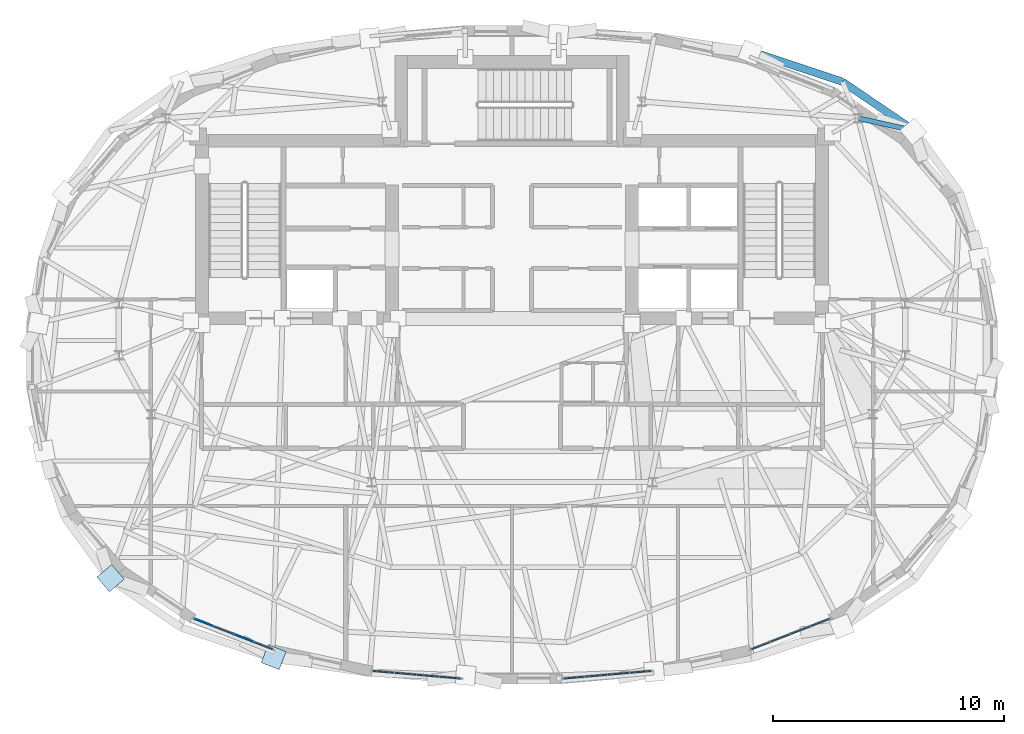
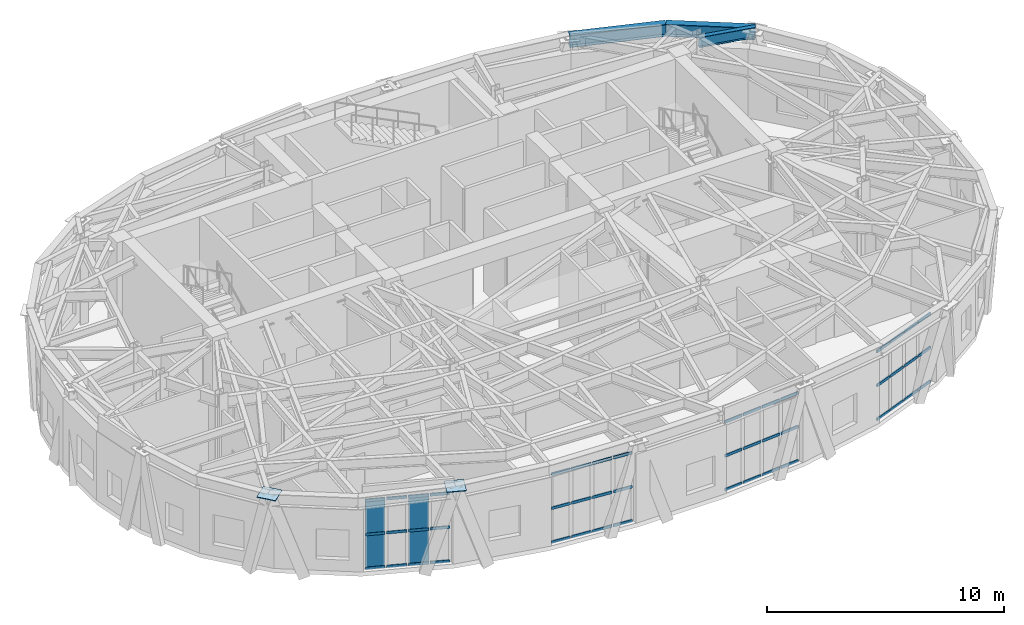
# One storey, part 6 of 15: 48 members, 6 plates, 3 beams, 4 elements without a shape of their own.
"""IFC4 building model written with IfcOpenShell, lengths in metres."""

from ifc_helpers import new_model, si_unit, direction, frame, origin, origin_2d, place, context, subcontext, project, spatial, rectangle, i_section, extrude, material, layer, layer_set, material_profile, profile_set, type_object, element, aggregate, save


model = new_model("IFC4")

# Units and contexts
model_context = context("Model", 3, precision=1e-05, world=origin(), true_north=direction((0.0, 1.0)))
body_context = subcontext(model_context, "Body", "Model", "MODEL_VIEW")
ifc_project = project(units=[si_unit("LENGTHUNIT", "METRE"), si_unit("AREAUNIT", "SQUARE_METRE"), si_unit("VOLUMEUNIT", "CUBIC_METRE"), si_unit("PLANEANGLEUNIT", "RADIAN"), si_unit("MASSUNIT", "GRAM", prefix="KILO")], contexts=[model_context])

# Site, building, storey
site_placement = place(None, origin())
site = spatial("IfcSite", under=ifc_project, at=site_placement, CompositionType="ELEMENT")
building_placement = place(site_placement, origin())
building = spatial("IfcBuilding", under=site, at=building_placement, Name="Keldmark Tower", CompositionType="ELEMENT")
storey_placement = place(building_placement, frame((0.0, 0.0, 260.39990234375)))
storey = spatial("IfcBuildingStorey", under=building, at=storey_placement, Name="L74", CompositionType="ELEMENT", Elevation=260.39990234375)

# Curtain wall, members
ifc_material_1 = material(Name="Unitized Thermally Broken Aluminum and Triple Low-E Glazing", Category="aluminium")
ifc_layer_1 = layer(ifc_material_1, 0.219970703125)
ifc_layer_set_1 = layer_set([ifc_layer_1], Name="Unitized Thermally Broken Aluminum and Triple Low-E Glazing")
curtain_wall_type = type_object("IfcCurtainWallType", Name="Public Observation Lookout Curtain Wall System", PredefinedType="NOTDEFINED", material=ifc_layer_set_1)
curtain_wall_1_placement = place(storey_placement, origin())
curtain_wall_1 = element("IfcCurtainWall", 1, at=curtain_wall_1_placement, inside=storey, type_object=curtain_wall_type, Name="L74 Public Observation Lookout Curtain Wall System CW-L74-21", PredefinedType="NOTDEFINED")
ifc_material_2 = material(Name="Extruded Aluminum Alloy 6063-T6", Category="aluminium")
ifc_material_profile_1 = material_profile(ifc_material_2, rectangle(XDim=0.06005859375, YDim=0.139892578125, at=origin_2d()), Name="CWT60X140")
ifc_profile_set_1 = profile_set([ifc_material_profile_1], Name="Extruded Aluminum Alloy 6063-T6")
member_type = type_object("IfcMemberType", Name="Curtain Wall Horizontal Transom 60x140", PredefinedType="USERDEFINED", material=ifc_profile_set_1)
member_1_placement = place(storey_placement, frame((-10.380615234375, -12.7529296875, 0.030029296875), z_axis=(-0.931639840275, 0.363383004574, 0.0), x_axis=(-0.363383004574, -0.931639840275, 0.0)))
member_1 = element("IfcMember", 2, at=member_1_placement, type_object=member_type, Name="CW transom 1.1", ObjectType="TRANSOM", PredefinedType="USERDEFINED", context=body_context, shape_type="SweptSolid", body=[
    extrude(rectangle(XDim=0.06005859375, YDim=0.139892578125, at=origin_2d()), origin(), (0.0, 0.0, 1.0), 0.842529296875),
])
member_2_placement = place(storey_placement, frame((-10.380615234375, -12.7529296875, 1.773193359375), z_axis=(-0.931639840275, 0.363383004574, 0.0), x_axis=(-0.363383004574, -0.931639840275, 0.0)))
member_2 = element("IfcMember", 3, at=member_2_placement, type_object=member_type, Name="CW transom 1.2", ObjectType="TRANSOM", PredefinedType="USERDEFINED", context=body_context, shape_type="SweptSolid", body=[
    extrude(rectangle(XDim=0.06005859375, YDim=0.139892578125, at=origin_2d()), origin(), (0.0, 0.0, 1.0), 0.842529296875),
])
member_3_placement = place(storey_placement, frame((-10.380615234375, -12.7529296875, 3.51611328125), z_axis=(-0.931639840275, 0.363383004574, 0.0), x_axis=(-0.363383004574, -0.931639840275, 0.0)))
member_3 = element("IfcMember", 4, at=member_3_placement, type_object=member_type, Name="CW transom 1.3", ObjectType="TRANSOM", PredefinedType="USERDEFINED", context=body_context, shape_type="SweptSolid", body=[
    extrude(rectangle(XDim=0.06005859375, YDim=0.139892578125, at=origin_2d()), origin(), (0.0, 0.0, 1.0), 0.842529296875),
])
member_4_placement = place(storey_placement, frame((-11.221435546875, -12.425048828125, 0.030029296875), z_axis=(-0.931626140827, 0.363418125205, 0.0), x_axis=(-0.363418125205, -0.931626140827, 0.0)))
member_4 = element("IfcMember", 5, at=member_4_placement, type_object=member_type, Name="CW transom 2.1", ObjectType="TRANSOM", PredefinedType="USERDEFINED", context=body_context, shape_type="SweptSolid", body=[
    extrude(rectangle(XDim=0.06005859375, YDim=0.139892578125, at=origin_2d()), origin(), (0.0, 0.0, 1.0), 0.87255859375),
])
member_5_placement = place(storey_placement, frame((-11.221435546875, -12.425048828125, 1.773193359375), z_axis=(-0.931626140827, 0.363418125205, 0.0), x_axis=(-0.363418125205, -0.931626140827, 0.0)))
member_5 = element("IfcMember", 6, at=member_5_placement, type_object=member_type, Name="CW transom 2.2", ObjectType="TRANSOM", PredefinedType="USERDEFINED", context=body_context, shape_type="SweptSolid", body=[
    extrude(rectangle(XDim=0.06005859375, YDim=0.139892578125, at=origin_2d()), origin(), (0.0, 0.0, 1.0), 0.87255859375),
])
member_6_placement = place(storey_placement, frame((-11.221435546875, -12.425048828125, 3.51611328125), z_axis=(-0.931626140827, 0.363418125205, 0.0), x_axis=(-0.363418125205, -0.931626140827, 0.0)))
member_6 = element("IfcMember", 7, at=member_6_placement, type_object=member_type, Name="CW transom 2.3", ObjectType="TRANSOM", PredefinedType="USERDEFINED", context=body_context, shape_type="SweptSolid", body=[
    extrude(rectangle(XDim=0.06005859375, YDim=0.139892578125, at=origin_2d()), origin(), (0.0, 0.0, 1.0), 0.87255859375),
])
member_7_placement = place(storey_placement, frame((-12.09033203125, -12.086181640625, 0.030029296875), z_axis=(-0.931626140827, 0.363418125205, 0.0), x_axis=(-0.363418125205, -0.931626140827, 0.0)))
member_7 = element("IfcMember", 8, at=member_7_placement, type_object=member_type, Name="CW transom 3.1", ObjectType="TRANSOM", PredefinedType="USERDEFINED", context=body_context, shape_type="SweptSolid", body=[
    extrude(rectangle(XDim=0.06005859375, YDim=0.139892578125, at=origin_2d()), origin(), (0.0, 0.0, 1.0), 0.87255859375),
])
member_8_placement = place(storey_placement, frame((-12.09033203125, -12.086181640625, 1.773193359375), z_axis=(-0.931626140827, 0.363418125205, 0.0), x_axis=(-0.363418125205, -0.931626140827, 0.0)))
member_8 = element("IfcMember", 9, at=member_8_placement, type_object=member_type, Name="CW transom 3.2", ObjectType="TRANSOM", PredefinedType="USERDEFINED", context=body_context, shape_type="SweptSolid", body=[
    extrude(rectangle(XDim=0.06005859375, YDim=0.139892578125, at=origin_2d()), origin(), (0.0, 0.0, 1.0), 0.87255859375),
])
member_9_placement = place(storey_placement, frame((-12.09033203125, -12.086181640625, 3.51611328125), z_axis=(-0.931626140827, 0.363418125205, 0.0), x_axis=(-0.363418125205, -0.931626140827, 0.0)))
member_9 = element("IfcMember", 10, at=member_9_placement, type_object=member_type, Name="CW transom 3.3", ObjectType="TRANSOM", PredefinedType="USERDEFINED", context=body_context, shape_type="SweptSolid", body=[
    extrude(rectangle(XDim=0.06005859375, YDim=0.139892578125, at=origin_2d()), origin(), (0.0, 0.0, 1.0), 0.87255859375),
])
member_10_placement = place(storey_placement, frame((-12.959228515625, -11.747314453125, 0.030029296875), z_axis=(-0.93154171424, 0.363634479431, 0.0), x_axis=(-0.363634479431, -0.93154171424, 0.0)))
member_10 = element("IfcMember", 11, at=member_10_placement, type_object=member_type, Name="CW transom 4.1", ObjectType="TRANSOM", PredefinedType="USERDEFINED", context=body_context, shape_type="SweptSolid", body=[
    extrude(rectangle(XDim=0.06005859375, YDim=0.139892578125, at=origin_2d()), origin(), (0.0, 0.0, 1.0), 0.842529296875),
])
member_11_placement = place(storey_placement, frame((-12.959228515625, -11.747314453125, 1.773193359375), z_axis=(-0.93154171424, 0.363634479431, 0.0), x_axis=(-0.363634479431, -0.93154171424, 0.0)))
member_11 = element("IfcMember", 12, at=member_11_placement, type_object=member_type, Name="CW transom 4.2", ObjectType="TRANSOM", PredefinedType="USERDEFINED", context=body_context, shape_type="SweptSolid", body=[
    extrude(rectangle(XDim=0.06005859375, YDim=0.139892578125, at=origin_2d()), origin(), (0.0, 0.0, 1.0), 0.842529296875),
])
member_12_placement = place(storey_placement, frame((-12.959228515625, -11.747314453125, 3.51611328125), z_axis=(-0.93154171424, 0.363634479431, 0.0), x_axis=(-0.363634479431, -0.93154171424, 0.0)))
member_12 = element("IfcMember", 13, at=member_12_placement, type_object=member_type, Name="CW transom 4.3", ObjectType="TRANSOM", PredefinedType="USERDEFINED", context=body_context, shape_type="SweptSolid", body=[
    extrude(rectangle(XDim=0.06005859375, YDim=0.139892578125, at=origin_2d()), origin(), (0.0, 0.0, 1.0), 0.842529296875),
])

curtain_wall_2_placement = place(storey_placement, origin())
curtain_wall_2 = element("IfcCurtainWall", 14, at=curtain_wall_2_placement, inside=storey, type_object=curtain_wall_type, Name="L74 Public Observation Lookout Curtain Wall System CW-L74-23", PredefinedType="NOTDEFINED")
member_13_placement = place(storey_placement, frame((-2.251953125, -14.022705078125, 0.030029296875), z_axis=(-0.996253059609, 0.086486075292, 0.0), x_axis=(-0.086486075292, -0.996253059609, 0.0)))
member_13 = element("IfcMember", 15, at=member_13_placement, type_object=member_type, Name="CW transom 1.1", ObjectType="TRANSOM", PredefinedType="USERDEFINED", context=body_context, shape_type="SweptSolid", body=[
    extrude(rectangle(XDim=0.06005859375, YDim=0.139892578125, at=origin_2d()), origin(), (0.0, 0.0, 1.0), 0.880859375),
])
member_14_placement = place(storey_placement, frame((-2.251953125, -14.022705078125, 1.773193359375), z_axis=(-0.996253059609, 0.086486075292, 0.0), x_axis=(-0.086486075292, -0.996253059609, 0.0)))
member_14 = element("IfcMember", 16, at=member_14_placement, type_object=member_type, Name="CW transom 1.2", ObjectType="TRANSOM", PredefinedType="USERDEFINED", context=body_context, shape_type="SweptSolid", body=[
    extrude(rectangle(XDim=0.06005859375, YDim=0.139892578125, at=origin_2d()), origin(), (0.0, 0.0, 1.0), 0.880859375),
])
member_15_placement = place(storey_placement, frame((-2.251953125, -14.022705078125, 3.51611328125), z_axis=(-0.996253059609, 0.086486075292, 0.0), x_axis=(-0.086486075292, -0.996253059609, 0.0)))
member_15 = element("IfcMember", 17, at=member_15_placement, type_object=member_type, Name="CW transom 1.3", ObjectType="TRANSOM", PredefinedType="USERDEFINED", context=body_context, shape_type="SweptSolid", body=[
    extrude(rectangle(XDim=0.06005859375, YDim=0.139892578125, at=origin_2d()), origin(), (0.0, 0.0, 1.0), 0.880859375),
])
member_16_placement = place(storey_placement, frame((-3.189208984375, -13.94140625, 0.030029296875), z_axis=(-0.996245615112, 0.086571787377, 0.0), x_axis=(-0.086571787377, -0.996245615112, 0.0)))
member_16 = element("IfcMember", 18, at=member_16_placement, type_object=member_type, Name="CW transom 2.1", ObjectType="TRANSOM", PredefinedType="USERDEFINED", context=body_context, shape_type="SweptSolid", body=[
    extrude(rectangle(XDim=0.06005859375, YDim=0.139892578125, at=origin_2d()), origin(), (0.0, 0.0, 1.0), 0.910888671875),
])
member_17_placement = place(storey_placement, frame((-3.189208984375, -13.94140625, 1.773193359375), z_axis=(-0.996245615112, 0.086571787377, 0.0), x_axis=(-0.086571787377, -0.996245615112, 0.0)))
member_17 = element("IfcMember", 19, at=member_17_placement, type_object=member_type, Name="CW transom 2.2", ObjectType="TRANSOM", PredefinedType="USERDEFINED", context=body_context, shape_type="SweptSolid", body=[
    extrude(rectangle(XDim=0.06005859375, YDim=0.139892578125, at=origin_2d()), origin(), (0.0, 0.0, 1.0), 0.910888671875),
])
member_18_placement = place(storey_placement, frame((-3.189208984375, -13.94140625, 3.51611328125), z_axis=(-0.996245615112, 0.086571787377, 0.0), x_axis=(-0.086571787377, -0.996245615112, 0.0)))
member_18 = element("IfcMember", 20, at=member_18_placement, type_object=member_type, Name="CW transom 2.3", ObjectType="TRANSOM", PredefinedType="USERDEFINED", context=body_context, shape_type="SweptSolid", body=[
    extrude(rectangle(XDim=0.06005859375, YDim=0.139892578125, at=origin_2d()), origin(), (0.0, 0.0, 1.0), 0.910888671875),
])
member_19_placement = place(storey_placement, frame((-4.156494140625, -13.857421875, 0.030029296875), z_axis=(-0.996243605554, 0.08659490974, 0.0), x_axis=(-0.08659490974, -0.996243605554, 0.0)))
member_19 = element("IfcMember", 21, at=member_19_placement, type_object=member_type, Name="CW transom 3.1", ObjectType="TRANSOM", PredefinedType="USERDEFINED", context=body_context, shape_type="SweptSolid", body=[
    extrude(rectangle(XDim=0.06005859375, YDim=0.139892578125, at=origin_2d()), origin(), (0.0, 0.0, 1.0), 0.91064453125),
])
member_20_placement = place(storey_placement, frame((-4.156494140625, -13.857421875, 1.773193359375), z_axis=(-0.996243605554, 0.08659490974, 0.0), x_axis=(-0.08659490974, -0.996243605554, 0.0)))
member_20 = element("IfcMember", 22, at=member_20_placement, type_object=member_type, Name="CW transom 3.2", ObjectType="TRANSOM", PredefinedType="USERDEFINED", context=body_context, shape_type="SweptSolid", body=[
    extrude(rectangle(XDim=0.06005859375, YDim=0.139892578125, at=origin_2d()), origin(), (0.0, 0.0, 1.0), 0.91064453125),
])
member_21_placement = place(storey_placement, frame((-4.156494140625, -13.857421875, 3.51611328125), z_axis=(-0.996243605554, 0.08659490974, 0.0), x_axis=(-0.08659490974, -0.996243605554, 0.0)))
member_21 = element("IfcMember", 23, at=member_21_placement, type_object=member_type, Name="CW transom 3.3", ObjectType="TRANSOM", PredefinedType="USERDEFINED", context=body_context, shape_type="SweptSolid", body=[
    extrude(rectangle(XDim=0.06005859375, YDim=0.139892578125, at=origin_2d()), origin(), (0.0, 0.0, 1.0), 0.91064453125),
])
member_22_placement = place(storey_placement, frame((-5.12353515625, -13.7734375, 0.030029296875), z_axis=(-0.996255132155, 0.086462197839, 0.0), x_axis=(-0.086462197839, -0.996255132155, 0.0)))
member_22 = element("IfcMember", 24, at=member_22_placement, type_object=member_type, Name="CW transom 4.1", ObjectType="TRANSOM", PredefinedType="USERDEFINED", context=body_context, shape_type="SweptSolid", body=[
    extrude(rectangle(XDim=0.06005859375, YDim=0.139892578125, at=origin_2d()), origin(), (0.0, 0.0, 1.0), 0.881103515625),
])
member_23_placement = place(storey_placement, frame((-5.12353515625, -13.7734375, 1.773193359375), z_axis=(-0.996255132155, 0.086462197839, 0.0), x_axis=(-0.086462197839, -0.996255132155, 0.0)))
member_23 = element("IfcMember", 25, at=member_23_placement, type_object=member_type, Name="CW transom 4.2", ObjectType="TRANSOM", PredefinedType="USERDEFINED", context=body_context, shape_type="SweptSolid", body=[
    extrude(rectangle(XDim=0.06005859375, YDim=0.139892578125, at=origin_2d()), origin(), (0.0, 0.0, 1.0), 0.881103515625),
])
member_24_placement = place(storey_placement, frame((-5.12353515625, -13.7734375, 3.51611328125), z_axis=(-0.996255132155, 0.086462197839, 0.0), x_axis=(-0.086462197839, -0.996255132155, 0.0)))
member_24 = element("IfcMember", 26, at=member_24_placement, type_object=member_type, Name="CW transom 4.3", ObjectType="TRANSOM", PredefinedType="USERDEFINED", context=body_context, shape_type="SweptSolid", body=[
    extrude(rectangle(XDim=0.06005859375, YDim=0.139892578125, at=origin_2d()), origin(), (0.0, 0.0, 1.0), 0.881103515625),
])
aggregate(curtain_wall_2, [member_13, member_14, member_15, member_16, member_17, member_18, member_19, member_20, member_21, member_22, member_23, member_24])

curtain_wall_3_placement = place(storey_placement, origin())
curtain_wall_3 = element("IfcCurtainWall", 27, at=curtain_wall_3_placement, inside=storey, type_object=curtain_wall_type, Name="L74 Public Observation Lookout Curtain Wall System CW-L74-25", PredefinedType="NOTDEFINED")
member_25_placement = place(storey_placement, frame((6.001220703125, -13.697265625, 0.030029296875), z_axis=(-0.996255132155, -0.086462197839, 0.0), x_axis=(0.086462197839, -0.996255132155, 0.0)))
member_25 = element("IfcMember", 28, at=member_25_placement, type_object=member_type, Name="CW transom 1.1", ObjectType="TRANSOM", PredefinedType="USERDEFINED", context=body_context, shape_type="SweptSolid", body=[
    extrude(rectangle(XDim=0.06005859375, YDim=0.139892578125, at=origin_2d()), origin(), (0.0, 0.0, 1.0), 0.881103515625),
])
member_26_placement = place(storey_placement, frame((6.001220703125, -13.697265625, 1.773193359375), z_axis=(-0.996255132155, -0.086462197839, 0.0), x_axis=(0.086462197839, -0.996255132155, 0.0)))
member_26 = element("IfcMember", 29, at=member_26_placement, type_object=member_type, Name="CW transom 1.2", ObjectType="TRANSOM", PredefinedType="USERDEFINED", context=body_context, shape_type="SweptSolid", body=[
    extrude(rectangle(XDim=0.06005859375, YDim=0.139892578125, at=origin_2d()), origin(), (0.0, 0.0, 1.0), 0.881103515625),
])
member_27_placement = place(storey_placement, frame((6.001220703125, -13.697265625, 3.51611328125), z_axis=(-0.996255132155, -0.086462197839, 0.0), x_axis=(0.086462197839, -0.996255132155, 0.0)))
member_27 = element("IfcMember", 30, at=member_27_placement, type_object=member_type, Name="CW transom 1.3", ObjectType="TRANSOM", PredefinedType="USERDEFINED", context=body_context, shape_type="SweptSolid", body=[
    extrude(rectangle(XDim=0.06005859375, YDim=0.139892578125, at=origin_2d()), origin(), (0.0, 0.0, 1.0), 0.881103515625),
])
member_28_placement = place(storey_placement, frame((5.063720703125, -13.778564453125, 0.030029296875), z_axis=(-0.996243605554, -0.08659490974, 0.0), x_axis=(0.08659490974, -0.996243605554, 0.0)))
member_28 = element("IfcMember", 31, at=member_28_placement, type_object=member_type, Name="CW transom 2.1", ObjectType="TRANSOM", PredefinedType="USERDEFINED", context=body_context, shape_type="SweptSolid", body=[
    extrude(rectangle(XDim=0.06005859375, YDim=0.139892578125, at=origin_2d()), origin(), (0.0, 0.0, 1.0), 0.91064453125),
])
member_29_placement = place(storey_placement, frame((5.063720703125, -13.778564453125, 1.773193359375), z_axis=(-0.996243605554, -0.08659490974, 0.0), x_axis=(0.08659490974, -0.996243605554, 0.0)))
member_29 = element("IfcMember", 32, at=member_29_placement, type_object=member_type, Name="CW transom 2.2", ObjectType="TRANSOM", PredefinedType="USERDEFINED", context=body_context, shape_type="SweptSolid", body=[
    extrude(rectangle(XDim=0.06005859375, YDim=0.139892578125, at=origin_2d()), origin(), (0.0, 0.0, 1.0), 0.91064453125),
])
member_30_placement = place(storey_placement, frame((5.063720703125, -13.778564453125, 3.51611328125), z_axis=(-0.996243605554, -0.08659490974, 0.0), x_axis=(0.08659490974, -0.996243605554, 0.0)))
member_30 = element("IfcMember", 33, at=member_30_placement, type_object=member_type, Name="CW transom 2.3", ObjectType="TRANSOM", PredefinedType="USERDEFINED", context=body_context, shape_type="SweptSolid", body=[
    extrude(rectangle(XDim=0.06005859375, YDim=0.139892578125, at=origin_2d()), origin(), (0.0, 0.0, 1.0), 0.91064453125),
])
member_31_placement = place(storey_placement, frame((4.0966796875, -13.862548828125, 0.030029296875), z_axis=(-0.996245615112, -0.086571787377, 0.0), x_axis=(0.086571787377, -0.996245615112, 0.0)))
member_31 = element("IfcMember", 34, at=member_31_placement, type_object=member_type, Name="CW transom 3.1", ObjectType="TRANSOM", PredefinedType="USERDEFINED", context=body_context, shape_type="SweptSolid", body=[
    extrude(rectangle(XDim=0.06005859375, YDim=0.139892578125, at=origin_2d()), origin(), (0.0, 0.0, 1.0), 0.910888671875),
])
member_32_placement = place(storey_placement, frame((4.0966796875, -13.862548828125, 1.773193359375), z_axis=(-0.996245615112, -0.086571787377, 0.0), x_axis=(0.086571787377, -0.996245615112, 0.0)))
member_32 = element("IfcMember", 35, at=member_32_placement, type_object=member_type, Name="CW transom 3.2", ObjectType="TRANSOM", PredefinedType="USERDEFINED", context=body_context, shape_type="SweptSolid", body=[
    extrude(rectangle(XDim=0.06005859375, YDim=0.139892578125, at=origin_2d()), origin(), (0.0, 0.0, 1.0), 0.910888671875),
])
member_33_placement = place(storey_placement, frame((4.0966796875, -13.862548828125, 3.51611328125), z_axis=(-0.996245615112, -0.086571787377, 0.0), x_axis=(0.086571787377, -0.996245615112, 0.0)))
member_33 = element("IfcMember", 36, at=member_33_placement, type_object=member_type, Name="CW transom 3.3", ObjectType="TRANSOM", PredefinedType="USERDEFINED", context=body_context, shape_type="SweptSolid", body=[
    extrude(rectangle(XDim=0.06005859375, YDim=0.139892578125, at=origin_2d()), origin(), (0.0, 0.0, 1.0), 0.910888671875),
])
member_34_placement = place(storey_placement, frame((3.12939453125, -13.946533203125, 0.030029296875), z_axis=(-0.996253059609, -0.086486075292, 0.0), x_axis=(0.086486075292, -0.996253059609, 0.0)))
member_34 = element("IfcMember", 37, at=member_34_placement, type_object=member_type, Name="CW transom 4.1", ObjectType="TRANSOM", PredefinedType="USERDEFINED", context=body_context, shape_type="SweptSolid", body=[
    extrude(rectangle(XDim=0.06005859375, YDim=0.139892578125, at=origin_2d()), origin(), (0.0, 0.0, 1.0), 0.880859375),
])
member_35_placement = place(storey_placement, frame((3.12939453125, -13.946533203125, 1.773193359375), z_axis=(-0.996253059609, -0.086486075292, 0.0), x_axis=(0.086486075292, -0.996253059609, 0.0)))
member_35 = element("IfcMember", 38, at=member_35_placement, type_object=member_type, Name="CW transom 4.2", ObjectType="TRANSOM", PredefinedType="USERDEFINED", context=body_context, shape_type="SweptSolid", body=[
    extrude(rectangle(XDim=0.06005859375, YDim=0.139892578125, at=origin_2d()), origin(), (0.0, 0.0, 1.0), 0.880859375),
])
member_36_placement = place(storey_placement, frame((3.12939453125, -13.946533203125, 3.51611328125), z_axis=(-0.996253059609, -0.086486075292, 0.0), x_axis=(0.086486075292, -0.996253059609, 0.0)))
member_36 = element("IfcMember", 39, at=member_36_placement, type_object=member_type, Name="CW transom 4.3", ObjectType="TRANSOM", PredefinedType="USERDEFINED", context=body_context, shape_type="SweptSolid", body=[
    extrude(rectangle(XDim=0.06005859375, YDim=0.139892578125, at=origin_2d()), origin(), (0.0, 0.0, 1.0), 0.880859375),
])
aggregate(curtain_wall_3, [member_25, member_26, member_27, member_28, member_29, member_30, member_31, member_32, member_33, member_34, member_35, member_36])

curtain_wall_4_placement = place(storey_placement, origin())
curtain_wall_4 = element("IfcCurtainWall", 40, at=curtain_wall_4_placement, inside=storey, type_object=curtain_wall_type, Name="L74 Public Observation Lookout Curtain Wall System CW-L74-27", PredefinedType="NOTDEFINED")
member_37_placement = place(storey_placement, frame((13.744140625, -11.44091796875, 0.030029296875), z_axis=(-0.93154171424, -0.363634479431, 0.0), x_axis=(0.363634479431, -0.93154171424, 0.0)))
member_37 = element("IfcMember", 41, at=member_37_placement, type_object=member_type, Name="CW transom 1.1", ObjectType="TRANSOM", PredefinedType="USERDEFINED", context=body_context, shape_type="SweptSolid", body=[
    extrude(rectangle(XDim=0.06005859375, YDim=0.139892578125, at=origin_2d()), origin(), (0.0, 0.0, 1.0), 0.842529296875),
])
member_38_placement = place(storey_placement, frame((13.744140625, -11.44091796875, 1.773193359375), z_axis=(-0.93154171424, -0.363634479431, 0.0), x_axis=(0.363634479431, -0.93154171424, 0.0)))
member_38 = element("IfcMember", 42, at=member_38_placement, type_object=member_type, Name="CW transom 1.2", ObjectType="TRANSOM", PredefinedType="USERDEFINED", context=body_context, shape_type="SweptSolid", body=[
    extrude(rectangle(XDim=0.06005859375, YDim=0.139892578125, at=origin_2d()), origin(), (0.0, 0.0, 1.0), 0.842529296875),
])
member_39_placement = place(storey_placement, frame((13.744140625, -11.44091796875, 3.51611328125), z_axis=(-0.93154171424, -0.363634479431, 0.0), x_axis=(0.363634479431, -0.93154171424, 0.0)))
member_39 = element("IfcMember", 43, at=member_39_placement, type_object=member_type, Name="CW transom 1.3", ObjectType="TRANSOM", PredefinedType="USERDEFINED", context=body_context, shape_type="SweptSolid", body=[
    extrude(rectangle(XDim=0.06005859375, YDim=0.139892578125, at=origin_2d()), origin(), (0.0, 0.0, 1.0), 0.842529296875),
])
member_40_placement = place(storey_placement, frame((12.9033203125, -11.76904296875, 0.030029296875), z_axis=(-0.931626140827, -0.363418125205, 0.0), x_axis=(0.363418125205, -0.931626140827, 0.0)))
member_40 = element("IfcMember", 44, at=member_40_placement, type_object=member_type, Name="CW transom 2.1", ObjectType="TRANSOM", PredefinedType="USERDEFINED", context=body_context, shape_type="SweptSolid", body=[
    extrude(rectangle(XDim=0.06005859375, YDim=0.139892578125, at=origin_2d()), origin(), (0.0, 0.0, 1.0), 0.87255859375),
])
member_41_placement = place(storey_placement, frame((12.9033203125, -11.76904296875, 1.773193359375), z_axis=(-0.931626140827, -0.363418125205, 0.0), x_axis=(0.363418125205, -0.931626140827, 0.0)))
member_41 = element("IfcMember", 45, at=member_41_placement, type_object=member_type, Name="CW transom 2.2", ObjectType="TRANSOM", PredefinedType="USERDEFINED", context=body_context, shape_type="SweptSolid", body=[
    extrude(rectangle(XDim=0.06005859375, YDim=0.139892578125, at=origin_2d()), origin(), (0.0, 0.0, 1.0), 0.87255859375),
])
member_42_placement = place(storey_placement, frame((12.9033203125, -11.76904296875, 3.51611328125), z_axis=(-0.931626140827, -0.363418125205, 0.0), x_axis=(0.363418125205, -0.931626140827, 0.0)))
member_42 = element("IfcMember", 46, at=member_42_placement, type_object=member_type, Name="CW transom 2.3", ObjectType="TRANSOM", PredefinedType="USERDEFINED", context=body_context, shape_type="SweptSolid", body=[
    extrude(rectangle(XDim=0.06005859375, YDim=0.139892578125, at=origin_2d()), origin(), (0.0, 0.0, 1.0), 0.87255859375),
])
member_43_placement = place(storey_placement, frame((12.034423828125, -12.10791015625, 0.030029296875), z_axis=(-0.931626140827, -0.363418125205, 0.0), x_axis=(0.363418125205, -0.931626140827, 0.0)))
member_43 = element("IfcMember", 47, at=member_43_placement, type_object=member_type, Name="CW transom 3.1", ObjectType="TRANSOM", PredefinedType="USERDEFINED", context=body_context, shape_type="SweptSolid", body=[
    extrude(rectangle(XDim=0.06005859375, YDim=0.139892578125, at=origin_2d()), origin(), (0.0, 0.0, 1.0), 0.87255859375),
])
member_44_placement = place(storey_placement, frame((12.034423828125, -12.10791015625, 1.773193359375), z_axis=(-0.931626140827, -0.363418125205, 0.0), x_axis=(0.363418125205, -0.931626140827, 0.0)))
member_44 = element("IfcMember", 48, at=member_44_placement, type_object=member_type, Name="CW transom 3.2", ObjectType="TRANSOM", PredefinedType="USERDEFINED", context=body_context, shape_type="SweptSolid", body=[
    extrude(rectangle(XDim=0.06005859375, YDim=0.139892578125, at=origin_2d()), origin(), (0.0, 0.0, 1.0), 0.87255859375),
])
member_45_placement = place(storey_placement, frame((12.034423828125, -12.10791015625, 3.51611328125), z_axis=(-0.931626140827, -0.363418125205, 0.0), x_axis=(0.363418125205, -0.931626140827, 0.0)))
member_45 = element("IfcMember", 49, at=member_45_placement, type_object=member_type, Name="CW transom 3.3", ObjectType="TRANSOM", PredefinedType="USERDEFINED", context=body_context, shape_type="SweptSolid", body=[
    extrude(rectangle(XDim=0.06005859375, YDim=0.139892578125, at=origin_2d()), origin(), (0.0, 0.0, 1.0), 0.87255859375),
])
member_46_placement = place(storey_placement, frame((11.16552734375, -12.44677734375, 0.030029296875), z_axis=(-0.931639840275, -0.363383004574, 0.0), x_axis=(0.363383004574, -0.931639840275, 0.0)))
member_46 = element("IfcMember", 50, at=member_46_placement, type_object=member_type, Name="CW transom 4.1", ObjectType="TRANSOM", PredefinedType="USERDEFINED", context=body_context, shape_type="SweptSolid", body=[
    extrude(rectangle(XDim=0.06005859375, YDim=0.139892578125, at=origin_2d()), origin(), (0.0, 0.0, 1.0), 0.842529296875),
])
member_47_placement = place(storey_placement, frame((11.16552734375, -12.44677734375, 1.773193359375), z_axis=(-0.931639840275, -0.363383004574, 0.0), x_axis=(0.363383004574, -0.931639840275, 0.0)))
member_47 = element("IfcMember", 51, at=member_47_placement, type_object=member_type, Name="CW transom 4.2", ObjectType="TRANSOM", PredefinedType="USERDEFINED", context=body_context, shape_type="SweptSolid", body=[
    extrude(rectangle(XDim=0.06005859375, YDim=0.139892578125, at=origin_2d()), origin(), (0.0, 0.0, 1.0), 0.842529296875),
])
member_48_placement = place(storey_placement, frame((11.16552734375, -12.44677734375, 3.51611328125), z_axis=(-0.931639840275, -0.363383004574, 0.0), x_axis=(0.363383004574, -0.931639840275, 0.0)))
member_48 = element("IfcMember", 52, at=member_48_placement, type_object=member_type, Name="CW transom 4.3", ObjectType="TRANSOM", PredefinedType="USERDEFINED", context=body_context, shape_type="SweptSolid", body=[
    extrude(rectangle(XDim=0.06005859375, YDim=0.139892578125, at=origin_2d()), origin(), (0.0, 0.0, 1.0), 0.842529296875),
])
aggregate(curtain_wall_4, [member_37, member_38, member_39, member_40, member_41, member_42, member_43, member_44, member_45, member_46, member_47, member_48])

# Beams
ifc_material_3 = material(Name="Steel ASTM A992 Grade 50", Category="steel")
ifc_material_profile_2 = material_profile(ifc_material_3, i_section(OverallWidth=0.2099609375, OverallDepth=0.537109375, WebThickness=0.010986328125, FlangeThickness=0.017333984375, at=origin_2d()), Name="W21X68")
ifc_profile_set_2 = profile_set([ifc_material_profile_2], Name="Steel ASTM A992 Grade 50")
beam_type_1 = type_object("IfcBeamType", Name="Radial Tie Girder W21X68", PredefinedType="BEAM", material=ifc_profile_set_2)
beam_1_placement = place(storey_placement, frame((14.995849609375, 10.24365234375, 3.91162109375), z_axis=(0.976301713666, -0.216413871768, 0.0), x_axis=(0.216413871768, 0.976301713666, 0.0)))
element("IfcBeam", 53, at=beam_1_placement, inside=storey, type_object=beam_type_1, Name="L74 Perimeter Column Bracket RT-04", PredefinedType="BEAM", context=body_context, shape_type="SweptSolid", body=[
    extrude(i_section(OverallWidth=0.2099609375, OverallDepth=0.537109375, WebThickness=0.010986328125, FlangeThickness=0.017333984375, at=origin_2d()), origin(), (0.0, 0.0, 1.0), 2.502197265625),
])
ifc_material_4 = material(Name="Steel ASTM A992 Grade 50", Category="steel")
ifc_material_profile_3 = material_profile(ifc_material_4, i_section(OverallWidth=0.326904296875, OverallDepth=0.6220703125, WebThickness=0.015380859375, FlangeThickness=0.0244140625, at=origin_2d()), Name="W24X131")
ifc_profile_set_3 = profile_set([ifc_material_profile_3], Name="Steel ASTM A992 Grade 50")
beam_type_2 = type_object("IfcBeamType", Name="Spandrel Ring Beam W24X131", PredefinedType="SPANDREL", material=ifc_profile_set_3)
beam_2_placement = place(storey_placement, frame((17.438720703125, 9.7021484375, 3.869140625), z_axis=(-0.827740547026, 0.56111102895, 0.0), x_axis=(-0.56111102895, -0.827740547026, 0.0)))
element("IfcBeam", 54, at=beam_2_placement, inside=storey, type_object=beam_type_2, Name="L74 Perimeter Spandrel Ring Beam SRB-04", PredefinedType="SPANDREL", context=body_context, shape_type="SweptSolid", body=[
    extrude(i_section(OverallWidth=0.326904296875, OverallDepth=0.6220703125, WebThickness=0.015380859375, FlangeThickness=0.0244140625, at=origin_2d()), origin(), (0.0, 0.0, 1.0), 3.778076171875),
])
beam_3_placement = place(storey_placement, frame((14.3115234375, 11.822021484375, 3.869140625), z_axis=(-0.948501424935, 0.316772863256, 0.0), x_axis=(-0.316772863256, -0.948501424935, 0.0)))
element("IfcBeam", 55, at=beam_3_placement, inside=storey, type_object=beam_type_2, Name="L74 Perimeter Spandrel Ring Beam SRB-05", PredefinedType="SPANDREL", context=body_context, shape_type="SweptSolid", body=[
    extrude(i_section(OverallWidth=0.326904296875, OverallDepth=0.6220703125, WebThickness=0.015380859375, FlangeThickness=0.0244140625, at=origin_2d()), origin(), (0.0, 0.0, 1.0), 4.1650390625),
])

# Plates
ifc_material_5 = material(Name="Steel ASTM A572 Grade 50", Category="steel")
ifc_layer_2 = layer(ifc_material_5, 0.034912109375)
ifc_layer_set_2 = layer_set([ifc_layer_2], Name="Steel ASTM A572 Grade 50")
plate_type_1 = type_object("IfcPlateType", Name="Diagrid Node Assembly DN06 35 mm", PredefinedType="USERDEFINED", material=ifc_layer_set_2)
for number, where, z_axis, x_axis, name in (
    (56, (-17.3857421875, -9.673828125, 4.04248046875), (0.0, 0.0, 1.0), (0.647055961569, -0.762442511011, 0.0), "L74 Diagrid Node Assembly 19"),
    (57, (-10.322998046875, -13.094970703125, 4.04248046875), (0.0, 0.0, 1.0), (0.931627814096, -0.363413835735, 0.0), "L74 Diagrid Node Assembly 21"),
):
    element("IfcPlate", number, at=place(storey_placement, frame(where, z_axis=z_axis, x_axis=x_axis)), inside=storey, type_object=plate_type_1, Name=name, ObjectType="GUSSET", PredefinedType="USERDEFINED", context=body_context, shape_type="SweptSolid", body=[
        extrude(rectangle(XDim=0.840087890625, YDim=0.840087890625, at=origin_2d()), origin(), (0.0, 0.0, 1.0), 0.034912109375),
    ])

# Plate
ifc_material_6 = material(Name="Triple Silver Low-E Insulated Glass Unit", Category="glass")
ifc_layer_3 = layer(ifc_material_6, 0.035888671875)
ifc_layer_set_3 = layer_set([ifc_layer_3], Name="Triple Silver Low-E Insulated Glass Unit")
plate_type_2 = type_object("IfcPlateType", Name="Triple Low-E Vision Glazing Panel 36 mm", PredefinedType="CURTAIN_PANEL", material=ifc_layer_set_3)
plate_1_placement = place(storey_placement, frame((-11.6279296875, -12.266357421875, 0.06005859375), z_axis=(0.0, 0.0, 1.0), x_axis=(-0.931640489494, 0.363381340105, 0.0)))
plate_1 = element("IfcPlate", 58, at=plate_1_placement, type_object=plate_type_2, Name="CW panel 2.1", PredefinedType="CURTAIN_PANEL", context=body_context, shape_type="SweptSolid", body=[
    extrude(rectangle(XDim=0.87255859375, YDim=0.035888671875, at=origin_2d()), origin(), (0.0, 0.0, 1.0), 1.68310546875),
])

plate_2_placement = place(storey_placement, frame((-11.6279296875, -12.266357421875, 1.802978515625), z_axis=(0.0, 0.0, 1.0), x_axis=(-0.931640489494, 0.363381340105, 0.0)))
plate_2 = element("IfcPlate", 59, at=plate_2_placement, type_object=plate_type_2, Name="CW panel 2.2", PredefinedType="CURTAIN_PANEL", context=body_context, shape_type="SweptSolid", body=[
    extrude(rectangle(XDim=0.87255859375, YDim=0.035888671875, at=origin_2d()), origin(), (0.0, 0.0, 1.0), 1.68310546875),
])

plate_3_placement = place(storey_placement, frame((-13.351806640625, -11.593994140625, 0.06005859375), z_axis=(0.0, 0.0, 1.0), x_axis=(-0.931640489494, 0.363381340105, 0.0)))
plate_3 = element("IfcPlate", 60, at=plate_3_placement, type_object=plate_type_2, Name="CW panel 4.1", PredefinedType="CURTAIN_PANEL", context=body_context, shape_type="SweptSolid", body=[
    extrude(rectangle(XDim=0.842529296875, YDim=0.035888671875, at=origin_2d()), origin(), (0.0, 0.0, 1.0), 1.68310546875),
])

plate_4_placement = place(storey_placement, frame((-13.351806640625, -11.593994140625, 1.802978515625), z_axis=(0.0, 0.0, 1.0), x_axis=(-0.931640489494, 0.363381340105, 0.0)))
plate_4 = element("IfcPlate", 61, at=plate_4_placement, type_object=plate_type_2, Name="CW panel 4.2", PredefinedType="CURTAIN_PANEL", context=body_context, shape_type="SweptSolid", body=[
    extrude(rectangle(XDim=0.842529296875, YDim=0.035888671875, at=origin_2d()), origin(), (0.0, 0.0, 1.0), 1.68310546875),
])

aggregate(curtain_wall_1, [member_1, member_2, member_3, member_4, member_5, member_6, plate_1, plate_2, member_7, member_8, member_9, member_10, member_11, member_12, plate_3, plate_4])

save(model, "model.ifc")
